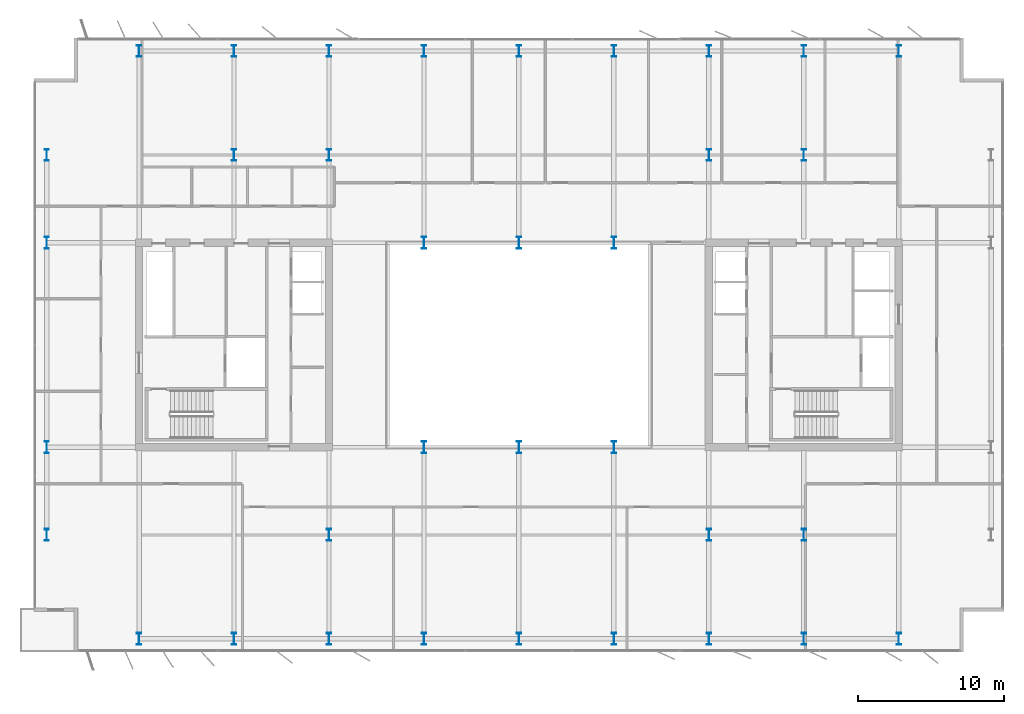
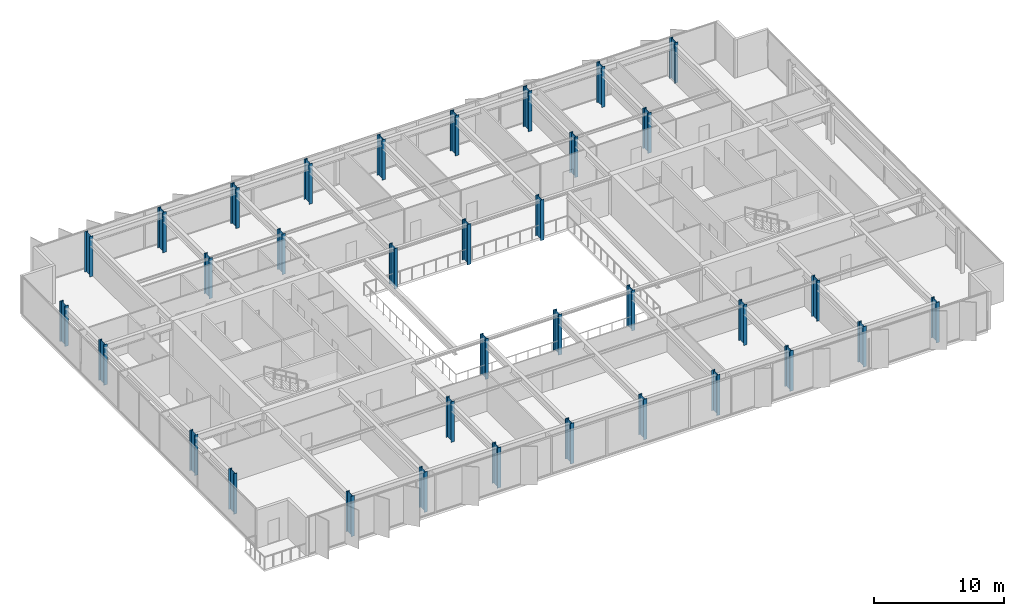
# One storey, part 1 of 23: 35 columns.
"""IFC4 building model written with IfcOpenShell, lengths in metres."""

from ifc_helpers import new_model, si_unit, direction, frame, origin, origin_2d, place, context, subcontext, project, spatial, i_section, extrude, material, material_profile, profile_set, type_object, element, save


model = new_model("IFC4")

# Units and contexts
model_context = context("Model", 3, precision=1e-05, world=origin(), true_north=direction((0.0, 1.0)))
body_context = subcontext(model_context, "Body", "Model", "MODEL_VIEW")
ifc_project = project(units=[si_unit("LENGTHUNIT", "METRE"), si_unit("AREAUNIT", "SQUARE_METRE"), si_unit("VOLUMEUNIT", "CUBIC_METRE"), si_unit("PLANEANGLEUNIT", "RADIAN"), si_unit("MASSUNIT", "GRAM", prefix="KILO")], contexts=[model_context])

# Site, building, storey
site_placement = place(None, origin())
site = spatial("IfcSite", under=ifc_project, at=site_placement, CompositionType="ELEMENT")
building_placement = place(site_placement, origin())
building = spatial("IfcBuilding", under=site, at=building_placement, Name="Putna Gate Headquarters", CompositionType="ELEMENT")
storey_placement = place(building_placement, frame((0.0, 0.0, 232.800048828125)))
storey = spatial("IfcBuildingStorey", under=building, at=storey_placement, Name="L58", CompositionType="ELEMENT", Elevation=232.800048828125)

# Columns
ifc_material = material(Name="Steel S460M", Category="steel")
ifc_material_profile_1 = material_profile(ifc_material, i_section(OverallWidth=0.302978515625, OverallDepth=0.81396484375, WebThickness=0.02099609375, FlangeThickness=0.0400390625, at=origin_2d()), Name="Steel S460M")
ifc_profile_set_1 = profile_set([ifc_material_profile_1], Name="Steel S460M")
column_type_1 = type_object("IfcColumnType", Name="COL-STL-HEM800-EXT", PredefinedType="COLUMN", material=ifc_profile_set_1)
for number, where, z_axis, x_axis, name in (
    (1, (13.0, 5.8798828125, 0.0), (0.0, 0.0, 1.0), (1.0, 0.0, 0.0), "L58 Column CP-S13"),
    (2, (13.0, 46.1201171875, 0.0), (0.0, 0.0, 1.0), (1.0, 0.0, 0.0), "L58 Column CP-N13"),
    (3, (19.5, 5.8798828125, 0.0), (0.0, 0.0, 1.0), (1.0, 0.0, 0.0), "L58 Column CP-S19"),
    (4, (19.5, 46.1201171875, 0.0), (0.0, 0.0, 1.0), (1.0, 0.0, 0.0), "L58 Column CP-N19"),
    (5, (26.0, 5.8798828125, 0.0), (0.0, 0.0, 1.0), (1.0, 0.0, 0.0), "L58 Column CP-S26"),
    (6, (26.0, 46.1201171875, 0.0), (0.0, 0.0, 1.0), (1.0, 0.0, 0.0), "L58 Column CP-N26"),
    (7, (32.5, 5.8798828125, 0.0), (0.0, 0.0, 1.0), (1.0, 0.0, 0.0), "L58 Column CP-S32"),
    (8, (32.5, 46.1201171875, 0.0), (0.0, 0.0, 1.0), (1.0, 0.0, 0.0), "L58 Column CP-N32"),
    (9, (39.0, 5.8798828125, 0.0), (0.0, 0.0, 1.0), (1.0, 0.0, 0.0), "L58 Column CP-S39"),
    (10, (39.0, 46.1201171875, 0.0), (0.0, 0.0, 1.0), (1.0, 0.0, 0.0), "L58 Column CP-N39"),
    (11, (45.5, 5.8798828125, 0.0), (0.0, 0.0, 1.0), (1.0, 0.0, 0.0), "L58 Column CP-S45"),
    (12, (45.5, 46.1201171875, 0.0), (0.0, 0.0, 1.0), (1.0, 0.0, 0.0), "L58 Column CP-N45"),
    (13, (52.0, 5.8798828125, 0.0), (0.0, 0.0, 1.0), (1.0, 0.0, 0.0), "L58 Column CP-S52"),
    (14, (52.0, 46.1201171875, 0.0), (0.0, 0.0, 1.0), (1.0, 0.0, 0.0), "L58 Column CP-N52"),
    (15, (58.5, 5.8798828125, 0.0), (0.0, 0.0, 1.0), (1.0, 0.0, 0.0), "L58 Column CP-S58"),
    (16, (58.5, 46.1201171875, 0.0), (0.0, 0.0, 1.0), (1.0, 0.0, 0.0), "L58 Column CP-N58"),
    (17, (65.0, 5.8798828125, 0.0), (0.0, 0.0, 1.0), (1.0, 0.0, 0.0), "L58 Column CP-S65"),
    (18, (65.0, 46.1201171875, 0.0), (0.0, 0.0, 1.0), (1.0, 0.0, 0.0), "L58 Column CP-N65"),
    (19, (6.679931640625, 13.0, 0.0), (0.0, 0.0, 1.0), (1.0, 0.0, 0.0), "L58 Column CP-W13"),
    (20, (6.679931640625, 19.0, 0.0), (0.0, 0.0, 1.0), (1.0, 0.0, 0.0), "L58 Column CP-W19"),
    (21, (6.679931640625, 33.0, 0.0), (0.0, 0.0, 1.0), (1.0, 0.0, 0.0), "L58 Column CP-W33"),
    (22, (6.679931640625, 39.0, 0.0), (0.0, 0.0, 1.0), (1.0, 0.0, 0.0), "L58 Column CP-W39"),
):
    element("IfcColumn", number, at=place(storey_placement, frame(where, z_axis=z_axis, x_axis=x_axis)), inside=storey, type_object=column_type_1, Name=name, PredefinedType="COLUMN", context=body_context, shape_type="SweptSolid", body=[
        extrude(i_section(OverallWidth=0.302978515625, OverallDepth=0.81396484375, WebThickness=0.02099609375, FlangeThickness=0.0400390625, at=origin_2d()), origin(), (0.0, 0.0, 1.0), 3.800048828125),
    ])
ifc_material_profile_2 = material_profile(ifc_material, i_section(OverallWidth=0.302978515625, OverallDepth=0.81396484375, WebThickness=0.02099609375, FlangeThickness=0.0400390625, at=origin_2d()), Name="Steel S460M")
ifc_profile_set_2 = profile_set([ifc_material_profile_2], Name="Steel S460M")
column_type_2 = type_object("IfcColumnType", Name="COL-STL-HEM800-INT", PredefinedType="COLUMN", material=ifc_profile_set_2)
for number, where, z_axis, x_axis, name in (
    (23, (19.5, 39.0, 0.0), (0.0, 0.0, 1.0), (1.0, 0.0, 0.0), "L58 Column CSI-WN"),
    (24, (58.5, 13.0, 0.0), (0.0, 0.0, 1.0), (1.0, 0.0, 0.0), "L58 Column CSI-ES"),
    (25, (58.5, 39.0, 0.0), (0.0, 0.0, 1.0), (1.0, 0.0, 0.0), "L58 Column CSI-EN"),
    (26, (32.5, 19.0, 0.0), (0.0, 0.0, 1.0), (1.0, 0.0, 0.0), "L58 Column CAI-S32"),
    (27, (32.5, 33.0, 0.0), (0.0, 0.0, 1.0), (1.0, 0.0, 0.0), "L58 Column CAI-N32"),
    (28, (39.0, 19.0, 0.0), (0.0, 0.0, 1.0), (1.0, 0.0, 0.0), "L58 Column CAI-S39"),
    (29, (39.0, 33.0, 0.0), (0.0, 0.0, 1.0), (1.0, 0.0, 0.0), "L58 Column CAI-N39"),
    (30, (45.5, 19.0, 0.0), (0.0, 0.0, 1.0), (1.0, 0.0, 0.0), "L58 Column CAI-S45"),
    (31, (45.5, 33.0, 0.0), (0.0, 0.0, 1.0), (1.0, 0.0, 0.0), "L58 Column CAI-N45"),
    (32, (26.0, 13.0, 0.0), (0.0, 0.0, 1.0), (1.0, 0.0, 0.0), "L58 Column CAP-WS"),
    (33, (26.0, 39.0, 0.0), (0.0, 0.0, 1.0), (1.0, 0.0, 0.0), "L58 Column CAP-WN"),
    (34, (52.0, 13.0, 0.0), (0.0, 0.0, 1.0), (1.0, 0.0, 0.0), "L58 Column CAP-ES"),
    (35, (52.0, 39.0, 0.0), (0.0, 0.0, 1.0), (1.0, 0.0, 0.0), "L58 Column CAP-EN"),
):
    element("IfcColumn", number, at=place(storey_placement, frame(where, z_axis=z_axis, x_axis=x_axis)), inside=storey, type_object=column_type_2, Name=name, PredefinedType="COLUMN", context=body_context, shape_type="SweptSolid", body=[
        extrude(i_section(OverallWidth=0.302978515625, OverallDepth=0.81396484375, WebThickness=0.02099609375, FlangeThickness=0.0400390625, at=origin_2d()), origin(), (0.0, 0.0, 1.0), 3.800048828125),
    ])

save(model, "model.ifc")
